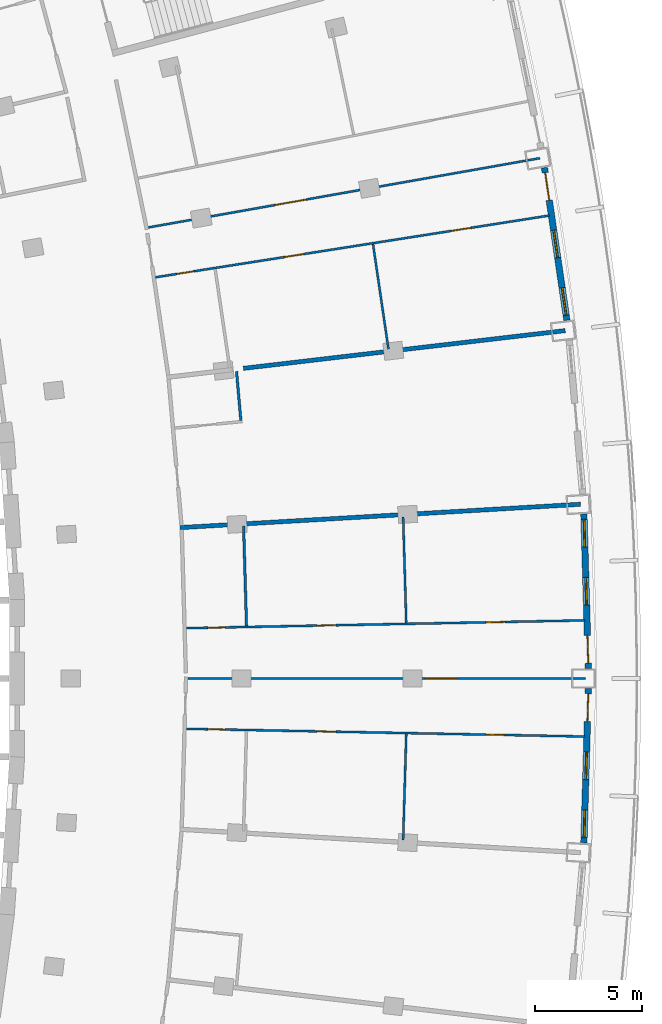
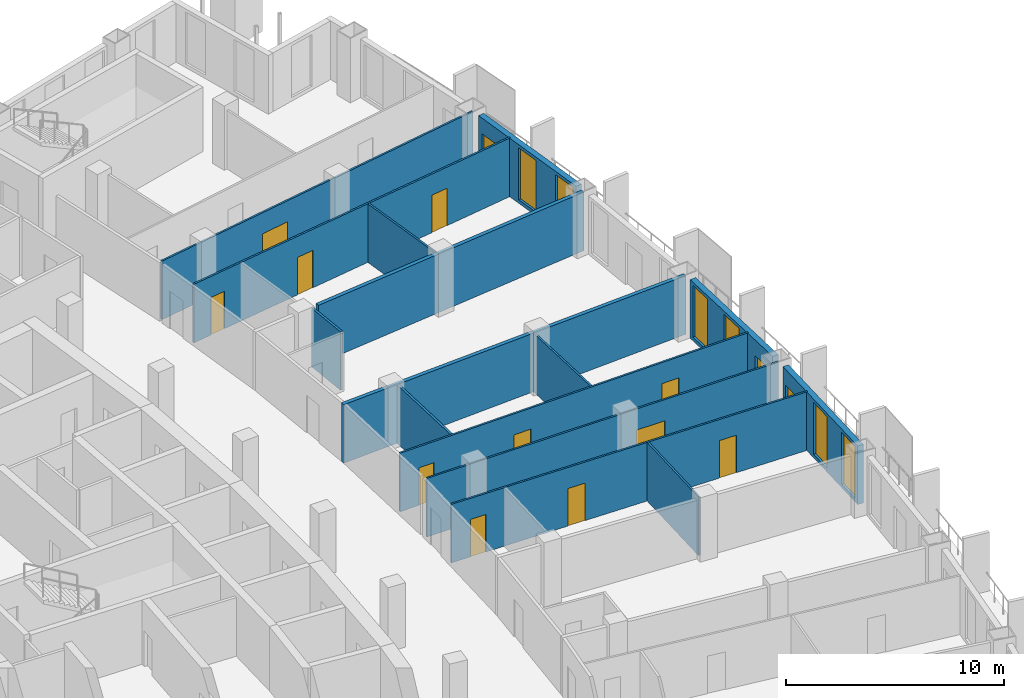
# One storey, part 14 of 20: 15 walls, 14 doors, 6 windows, 20 openings.
"""IFC4 building model written with IfcOpenShell, lengths in metres."""

from ifc_helpers import new_model, si_unit, direction, frame, frame_2d, origin, place, context, subcontext, project, spatial, rectangle, extrude, material, layer, layer_set, type_object, element, fill, save


model = new_model("IFC4")

# Units and contexts
model_context = context("Model", 3, precision=1e-05, world=origin(), true_north=direction((0.0, 1.0)))
body_context = subcontext(model_context, "Body", "Model", "MODEL_VIEW")
ifc_project = project(units=[si_unit("LENGTHUNIT", "METRE"), si_unit("AREAUNIT", "SQUARE_METRE"), si_unit("VOLUMEUNIT", "CUBIC_METRE"), si_unit("PLANEANGLEUNIT", "RADIAN"), si_unit("MASSUNIT", "GRAM", prefix="KILO")], contexts=[model_context])

# Site, building, storey
site_placement = place(None, origin())
site = spatial("IfcSite", under=ifc_project, at=site_placement, CompositionType="ELEMENT")
building_placement = place(site_placement, origin())
building = spatial("IfcBuilding", under=site, at=building_placement, Name="Alderwake Tower", CompositionType="ELEMENT")
storey_placement = place(building_placement, frame((0.0, 0.0, 153.199951171875)))
storey = spatial("IfcBuildingStorey", under=building, at=storey_placement, Name="L37", CompositionType="ELEMENT", Elevation=153.199951171875)

# Wall, openings, door, windows
ifc_material_1 = material(Name="Precast concrete C50/60 spandrel panel", Category="concrete")
ifc_layer_1 = layer(ifc_material_1, 0.300048828125)
ifc_layer_set_1 = layer_set([ifc_layer_1], Name="External wall EW1 Precast concrete C50/60 spandrel")
wall_type_1 = type_object("IfcWallType", Name="External wall EW1 Precast concrete C50/60 spandrel", PredefinedType="SOLIDWALL", material=ifc_layer_set_1)
wall_1_placement = place(storey_placement, frame((59.82568359375, 53.30810546875, 0.0), z_axis=(0.0, 0.0, 1.0), x_axis=(0.029139773033, 0.999575346649, 0.0)))
wall_1 = element("IfcWall", 1, at=wall_1_placement, inside=storey, type_object=wall_type_1, Name="External wall 15", PredefinedType="SOLIDWALL", context=body_context, shape_type="SweptSolid", body=[
    extrude(rectangle(XDim=7.22216796875, YDim=0.300048828125, at=frame_2d((3.611083984375, 0.0))), origin(), (0.0, 0.0, 1.0), 3.280029296875),
])
opening_1_placement = place(wall_1_placement, frame((0.2431640625, 0.0, 0.199951171875)))
opening_1 = element("IfcOpeningElement", 2, at=opening_1_placement, cuts=wall_1, Name="Opening W1", PredefinedType="OPENING", context=body_context, shape_type="SweptSolid", body=[
    extrude(rectangle(XDim=1.300048828125, YDim=2.89990234375, at=frame_2d((0.64990234375, 1.449951171875))), frame((0.0, 0.159912109375, 0.0), z_axis=(0.0, -1.0, 0.0), x_axis=(1.0, 0.0, 0.0)), (0.0, 0.0, 1.0), 0.320068359375),
])
opening_2_placement = place(wall_1_placement, frame((2.961181640625, 0.0, 0.199951171875)))
opening_2 = element("IfcOpeningElement", 3, at=opening_2_placement, cuts=wall_1, Name="Opening W1", PredefinedType="OPENING", context=body_context, shape_type="SweptSolid", body=[
    extrude(rectangle(XDim=1.300048828125, YDim=2.89990234375, at=frame_2d((0.64990234375, 1.449951171875))), frame((0.0, 0.159912109375, 0.0), z_axis=(0.0, -1.0, 0.0), x_axis=(1.0, 0.0, 0.0)), (0.0, 0.0, 1.0), 0.320068359375),
])
opening_3_placement = place(wall_1_placement, frame((5.678955078125, 0.0, 0.0)))
opening_3 = element("IfcOpeningElement", 4, at=opening_3_placement, cuts=wall_1, Name="Opening D04", PredefinedType="OPENING", context=body_context, shape_type="SweptSolid", body=[
    extrude(rectangle(XDim=1.300048828125, YDim=2.39990234375, at=frame_2d((0.64990234375, 1.199951171875))), frame((0.0, 0.159912109375, 0.0), z_axis=(0.0, -1.0, 0.0), x_axis=(1.0, 0.0, 0.0)), (0.0, 0.0, 1.0), 0.320068359375),
])
ifc_material_2 = material(Name="Bronze tinted glass in aluminium frame", Category="aluminium")
door_type_1 = type_object("IfcDoorType", Name="Balcony door BD sliding", OperationType="SLIDING_TO_LEFT", PredefinedType="DOOR", material=ifc_material_2)
door_1_placement = place(opening_3_placement, origin())
door_1 = element("IfcDoor", 5, at=door_1_placement, inside=storey, type_object=door_type_1, Name="Door D04", OperationType="SLIDING_TO_LEFT", OverallHeight=2.39990234375, OverallWidth=1.300048828125, PredefinedType="DOOR", context=body_context, shape_type="SweptSolid", body=[
    extrude(rectangle(XDim=1.300048828125, YDim=2.39990234375, at=frame_2d((0.64990234375, 1.199951171875))), frame((0.0, 0.02490234375, 0.0), z_axis=(0.0, -1.0, 0.0), x_axis=(1.0, 0.0, 0.0)), (0.0, 0.0, 1.0), 0.050048828125),
])
fill(opening_3, door_1)
ifc_material_3 = material(Name="Bronze tinted glass in aluminium frame", Category="aluminium")
window_type = type_object("IfcWindowType", Name="Window W1 tall fixed and vent", PartitioningType="DOUBLE_PANEL_VERTICAL", PredefinedType="WINDOW", material=ifc_material_3)
window_1_placement = place(opening_1_placement, origin())
window_1 = element("IfcWindow", 6, at=window_1_placement, inside=storey, type_object=window_type, Name="Window W1 tall fixed and vent", OverallHeight=2.89990234375, OverallWidth=1.300048828125, PartitioningType="DOUBLE_PANEL_VERTICAL", PredefinedType="WINDOW", context=body_context, shape_type="SweptSolid", body=[
    extrude(rectangle(XDim=1.300048828125, YDim=2.89990234375, at=frame_2d((0.64990234375, 1.449951171875))), frame((0.0, 0.030029296875, 0.0), z_axis=(0.0, -1.0, 0.0), x_axis=(1.0, 0.0, 0.0)), (0.0, 0.0, 1.0), 0.06005859375),
])
fill(opening_1, window_1)
window_2_placement = place(opening_2_placement, origin())
window_2 = element("IfcWindow", 7, at=window_2_placement, inside=storey, type_object=window_type, Name="Window W1 tall fixed and vent", OverallHeight=2.89990234375, OverallWidth=1.300048828125, PartitioningType="DOUBLE_PANEL_VERTICAL", PredefinedType="WINDOW", context=body_context, shape_type="SweptSolid", body=[
    extrude(rectangle(XDim=1.300048828125, YDim=2.89990234375, at=frame_2d((0.64990234375, 1.449951171875))), frame((0.0, 0.030029296875, 0.0), z_axis=(0.0, -1.0, 0.0), x_axis=(1.0, 0.0, 0.0)), (0.0, 0.0, 1.0), 0.06005859375),
])
fill(opening_2, window_2)

wall_2_placement = place(storey_placement, frame((60.0361328125, 61.472900390625, 0.0), z_axis=(0.0, 0.0, 1.0), x_axis=(-0.029139773033, 0.999575346649, 0.0)))
wall_2 = element("IfcWall", 8, at=wall_2_placement, inside=storey, type_object=wall_type_1, Name="External wall 16", PredefinedType="SOLIDWALL", context=body_context, shape_type="SweptSolid", body=[
    extrude(rectangle(XDim=7.22216796875, YDim=0.300048828125, at=frame_2d((3.611083984375, 0.0))), origin(), (0.0, 0.0, 1.0), 3.280029296875),
])
opening_4_placement = place(wall_2_placement, frame((0.2431640625, 0.0, 0.0)))
opening_4 = element("IfcOpeningElement", 9, at=opening_4_placement, cuts=wall_2, Name="Opening D05", PredefinedType="OPENING", context=body_context, shape_type="SweptSolid", body=[
    extrude(rectangle(XDim=1.300048828125, YDim=2.39990234375, at=frame_2d((0.64990234375, 1.199951171875))), frame((0.0, 0.159912109375, 0.0), z_axis=(0.0, -1.0, 0.0), x_axis=(1.0, 0.0, 0.0)), (0.0, 0.0, 1.0), 0.320068359375),
])
opening_5_placement = place(wall_2_placement, frame((2.961181640625, 0.0, 0.199951171875)))
opening_5 = element("IfcOpeningElement", 10, at=opening_5_placement, cuts=wall_2, Name="Opening W1", PredefinedType="OPENING", context=body_context, shape_type="SweptSolid", body=[
    extrude(rectangle(XDim=1.300048828125, YDim=2.89990234375, at=frame_2d((0.64990234375, 1.449951171875))), frame((0.0, 0.159912109375, 0.0), z_axis=(0.0, -1.0, 0.0), x_axis=(1.0, 0.0, 0.0)), (0.0, 0.0, 1.0), 0.320068359375),
])
opening_6_placement = place(wall_2_placement, frame((5.678955078125, 0.0, 0.199951171875)))
opening_6 = element("IfcOpeningElement", 11, at=opening_6_placement, cuts=wall_2, Name="Opening W1", PredefinedType="OPENING", context=body_context, shape_type="SweptSolid", body=[
    extrude(rectangle(XDim=1.300048828125, YDim=2.89990234375, at=frame_2d((0.64990234375, 1.449951171875))), frame((0.0, 0.159912109375, 0.0), z_axis=(0.0, -1.0, 0.0), x_axis=(1.0, 0.0, 0.0)), (0.0, 0.0, 1.0), 0.320068359375),
])
door_2_placement = place(opening_4_placement, origin())
door_2 = element("IfcDoor", 12, at=door_2_placement, inside=storey, type_object=door_type_1, Name="Door D05", OperationType="SLIDING_TO_LEFT", OverallHeight=2.39990234375, OverallWidth=1.300048828125, PredefinedType="DOOR", context=body_context, shape_type="SweptSolid", body=[
    extrude(rectangle(XDim=1.300048828125, YDim=2.39990234375, at=frame_2d((0.64990234375, 1.199951171875))), frame((0.0, 0.02490234375, 0.0), z_axis=(0.0, -1.0, 0.0), x_axis=(1.0, 0.0, 0.0)), (0.0, 0.0, 1.0), 0.050048828125),
])
fill(opening_4, door_2)
window_3_placement = place(opening_5_placement, origin())
window_3 = element("IfcWindow", 13, at=window_3_placement, inside=storey, type_object=window_type, Name="Window W1 tall fixed and vent", OverallHeight=2.89990234375, OverallWidth=1.300048828125, PartitioningType="DOUBLE_PANEL_VERTICAL", PredefinedType="WINDOW", context=body_context, shape_type="SweptSolid", body=[
    extrude(rectangle(XDim=1.300048828125, YDim=2.89990234375, at=frame_2d((0.64990234375, 1.449951171875))), frame((0.0, 0.030029296875, 0.0), z_axis=(0.0, -1.0, 0.0), x_axis=(1.0, 0.0, 0.0)), (0.0, 0.0, 1.0), 0.06005859375),
])
fill(opening_5, window_3)
window_4_placement = place(opening_6_placement, origin())
window_4 = element("IfcWindow", 14, at=window_4_placement, inside=storey, type_object=window_type, Name="Window W1 tall fixed and vent", OverallHeight=2.89990234375, OverallWidth=1.300048828125, PartitioningType="DOUBLE_PANEL_VERTICAL", PredefinedType="WINDOW", context=body_context, shape_type="SweptSolid", body=[
    extrude(rectangle(XDim=1.300048828125, YDim=2.89990234375, at=frame_2d((0.64990234375, 1.449951171875))), frame((0.0, 0.030029296875, 0.0), z_axis=(0.0, -1.0, 0.0), x_axis=(1.0, 0.0, 0.0)), (0.0, 0.0, 1.0), 0.06005859375),
])
fill(opening_6, window_4)

wall_3_placement = place(storey_placement, frame((59.029296875, 77.770263671875, 0.0), z_axis=(0.0, 0.0, 1.0), x_axis=(-0.145324652045, 0.989384023273, 0.0)))
wall_3 = element("IfcWall", 15, at=wall_3_placement, inside=storey, type_object=wall_type_1, Name="External wall 18", PredefinedType="SOLIDWALL", context=body_context, shape_type="SweptSolid", body=[
    extrude(rectangle(XDim=7.22216796875, YDim=0.300048828125, at=frame_2d((3.611083984375, 0.0))), origin(), (0.0, 0.0, 1.0), 3.280029296875),
])
opening_7_placement = place(wall_3_placement, frame((0.2431640625, 0.0, 0.199951171875)))
opening_7 = element("IfcOpeningElement", 16, at=opening_7_placement, cuts=wall_3, Name="Opening W1", PredefinedType="OPENING", context=body_context, shape_type="SweptSolid", body=[
    extrude(rectangle(XDim=1.300048828125, YDim=2.89990234375, at=frame_2d((0.64990234375, 1.449951171875))), frame((0.0, 0.159912109375, 0.0), z_axis=(0.0, -1.0, 0.0), x_axis=(1.0, 0.0, 0.0)), (0.0, 0.0, 1.0), 0.320068359375),
])
opening_8_placement = place(wall_3_placement, frame((2.961181640625, 0.0, 0.199951171875)))
opening_8 = element("IfcOpeningElement", 17, at=opening_8_placement, cuts=wall_3, Name="Opening W1", PredefinedType="OPENING", context=body_context, shape_type="SweptSolid", body=[
    extrude(rectangle(XDim=1.300048828125, YDim=2.89990234375, at=frame_2d((0.64990234375, 1.449951171875))), frame((0.0, 0.159912109375, 0.0), z_axis=(0.0, -1.0, 0.0), x_axis=(1.0, 0.0, 0.0)), (0.0, 0.0, 1.0), 0.320068359375),
])
opening_9_placement = place(wall_3_placement, frame((5.678955078125, 0.0, 0.0)))
opening_9 = element("IfcOpeningElement", 18, at=opening_9_placement, cuts=wall_3, Name="Opening D07", PredefinedType="OPENING", context=body_context, shape_type="SweptSolid", body=[
    extrude(rectangle(XDim=1.300048828125, YDim=2.39990234375, at=frame_2d((0.64990234375, 1.199951171875))), frame((0.0, 0.159912109375, 0.0), z_axis=(0.0, -1.0, 0.0), x_axis=(1.0, 0.0, 0.0)), (0.0, 0.0, 1.0), 0.320068359375),
])
door_3_placement = place(opening_9_placement, origin())
door_3 = element("IfcDoor", 19, at=door_3_placement, inside=storey, type_object=door_type_1, Name="Door D07", OperationType="SLIDING_TO_LEFT", OverallHeight=2.39990234375, OverallWidth=1.300048828125, PredefinedType="DOOR", context=body_context, shape_type="SweptSolid", body=[
    extrude(rectangle(XDim=1.300048828125, YDim=2.39990234375, at=frame_2d((0.64990234375, 1.199951171875))), frame((0.0, 0.02490234375, 0.0), z_axis=(0.0, -1.0, 0.0), x_axis=(1.0, 0.0, 0.0)), (0.0, 0.0, 1.0), 0.050048828125),
])
fill(opening_9, door_3)
window_5_placement = place(opening_7_placement, origin())
window_5 = element("IfcWindow", 20, at=window_5_placement, inside=storey, type_object=window_type, Name="Window W1 tall fixed and vent", OverallHeight=2.89990234375, OverallWidth=1.300048828125, PartitioningType="DOUBLE_PANEL_VERTICAL", PredefinedType="WINDOW", context=body_context, shape_type="SweptSolid", body=[
    extrude(rectangle(XDim=1.300048828125, YDim=2.89990234375, at=frame_2d((0.64990234375, 1.449951171875))), frame((0.0, 0.030029296875, 0.0), z_axis=(0.0, -1.0, 0.0), x_axis=(1.0, 0.0, 0.0)), (0.0, 0.0, 1.0), 0.06005859375),
])
fill(opening_7, window_5)
window_6_placement = place(opening_8_placement, origin())
window_6 = element("IfcWindow", 21, at=window_6_placement, inside=storey, type_object=window_type, Name="Window W1 tall fixed and vent", OverallHeight=2.89990234375, OverallWidth=1.300048828125, PartitioningType="DOUBLE_PANEL_VERTICAL", PredefinedType="WINDOW", context=body_context, shape_type="SweptSolid", body=[
    extrude(rectangle(XDim=1.300048828125, YDim=2.89990234375, at=frame_2d((0.64990234375, 1.449951171875))), frame((0.0, 0.030029296875, 0.0), z_axis=(0.0, -1.0, 0.0), x_axis=(1.0, 0.0, 0.0)), (0.0, 0.0, 1.0), 0.06005859375),
])
fill(opening_8, window_6)

# Walls
ifc_material_4 = material(Name="Dense block masonry wall", Category="masonry")
ifc_layer_2 = layer(ifc_material_4, 0.199951171875)
ifc_layer_set_2 = layer_set([ifc_layer_2], Name="Party wall 200")
wall_type_2 = type_object("IfcWallType", Name="Party wall 200", PredefinedType="SOLIDWALL", material=ifc_layer_set_2)
wall_4_placement = place(storey_placement, frame((58.949951171875, 77.285888671875, 0.0), z_axis=(0.0, 0.0, 1.0), x_axis=(-0.993190756865, -0.116499444109, 0.0)))
element("IfcWall", 22, at=wall_4_placement, inside=storey, type_object=wall_type_2, Name="WL/L37/W04", PredefinedType="SOLIDWALL", context=body_context, shape_type="SweptSolid", body=[
    extrude(rectangle(XDim=15.168212890625, YDim=0.199951171875, at=frame_2d((7.583984375, 0.0))), origin(), (0.0, 0.0, 1.0), 3.280029296875),
])
wall_5_placement = place(storey_placement, frame((59.660888671875, 69.156005859375, 0.0), z_axis=(0.0, 0.0, 1.0), x_axis=(-0.998302191282, -0.058247187749, 0.0)))
element("IfcWall", 23, at=wall_5_placement, inside=storey, type_object=wall_type_2, Name="WL/L37/W06", PredefinedType="SOLIDWALL", context=body_context, shape_type="SweptSolid", body=[
    extrude(rectangle(XDim=18.77783203125, YDim=0.199951171875, at=frame_2d((9.388916015625, 0.0))), origin(), (0.0, 0.0, 1.0), 3.280029296875),
])

# Wall, openings, doors
ifc_material_5 = material(Name="Gypsum board on metal studs")
ifc_layer_3 = layer(ifc_material_5, 0.10009765625)
ifc_layer_set_3 = layer_set([ifc_layer_3], Name="Unit partition 100")
wall_type_3 = type_object("IfcWallType", Name="Unit partition 100", PredefinedType="PARTITIONING", material=ifc_layer_set_3)
wall_6_placement = place(storey_placement, frame((58.2060546875, 82.674072265625, 0.0), z_axis=(0.0, 0.0, 1.0), x_axis=(-0.987923453113, -0.1549427339, 0.0)))
wall_6 = element("IfcWall", 24, at=wall_6_placement, inside=storey, type_object=wall_type_3, Name="WL/L37/W44", PredefinedType="PARTITIONING", context=body_context, shape_type="SweptSolid", body=[
    extrude(rectangle(XDim=18.662353515625, YDim=0.10009765625, at=frame_2d((9.3310546875, 0.0))), origin(), (0.0, 0.0, 1.0), 3.280029296875),
])
opening_10_placement = place(wall_6_placement, frame((11.651123046875, 0.0, 0.0)))
opening_10 = element("IfcOpeningElement", 25, at=opening_10_placement, cuts=wall_6, Name="Opening R10-U07.1", PredefinedType="OPENING", context=body_context, shape_type="SweptSolid", body=[
    extrude(rectangle(XDim=0.89990234375, YDim=2.10009765625, at=frame_2d((0.449951171875, 1.050048828125))), frame((0.0, 0.06005859375, 0.0), z_axis=(0.0, -1.0, 0.0), x_axis=(1.0, 0.0, 0.0)), (0.0, 0.0, 1.0), 0.1201171875),
])
opening_11_placement = place(wall_6_placement, frame((16.852294921875, 0.0, 0.0)))
opening_11 = element("IfcOpeningElement", 26, at=opening_11_placement, cuts=wall_6, Name="Opening R10-U07.3", PredefinedType="OPENING", context=body_context, shape_type="SweptSolid", body=[
    extrude(rectangle(XDim=0.800048828125, YDim=2.10009765625, at=frame_2d((0.39990234375, 1.050048828125))), frame((0.0, 0.06005859375, 0.0), z_axis=(0.0, -1.0, 0.0), x_axis=(1.0, 0.0, 0.0)), (0.0, 0.0, 1.0), 0.1201171875),
])
opening_12_placement = place(wall_6_placement, frame((3.72998046875, 0.0, 0.0)))
opening_12 = element("IfcOpeningElement", 27, at=opening_12_placement, cuts=wall_6, Name="Opening R10-U07.4", PredefinedType="OPENING", context=body_context, shape_type="SweptSolid", body=[
    extrude(rectangle(XDim=0.89990234375, YDim=2.10009765625, at=frame_2d((0.449951171875, 1.050048828125))), frame((0.0, 0.06005859375, 0.0), z_axis=(0.0, -1.0, 0.0), x_axis=(1.0, 0.0, 0.0)), (0.0, 0.0, 1.0), 0.1201171875),
])
ifc_material_6 = material(Name="Painted timber leaf", Category="wood")
door_type_2 = type_object("IfcDoorType", Name="Bathroom door 800", OperationType="SINGLE_SWING_LEFT", PredefinedType="DOOR", material=ifc_material_6)
door_4_placement = place(opening_11_placement, origin())
door_4 = element("IfcDoor", 28, at=door_4_placement, inside=storey, type_object=door_type_2, Name="DR/L37/U07.3", OperationType="SINGLE_SWING_LEFT", OverallHeight=2.10009765625, OverallWidth=0.800048828125, PredefinedType="DOOR", context=body_context, shape_type="SweptSolid", body=[
    extrude(rectangle(XDim=0.800048828125, YDim=2.10009765625, at=frame_2d((0.39990234375, 1.050048828125))), frame((0.0, 0.02490234375, 0.0), z_axis=(0.0, -1.0, 0.0), x_axis=(1.0, 0.0, 0.0)), (0.0, 0.0, 1.0), 0.050048828125),
])
fill(opening_11, door_4)
ifc_material_7 = material(Name="Painted timber leaf", Category="wood")
door_type_3 = type_object("IfcDoorType", Name="Room door 900", OperationType="SINGLE_SWING_LEFT", PredefinedType="DOOR", material=ifc_material_7)
door_5_placement = place(opening_10_placement, origin())
door_5 = element("IfcDoor", 29, at=door_5_placement, inside=storey, type_object=door_type_3, Name="DR/L37/U07.1", OperationType="SINGLE_SWING_LEFT", OverallHeight=2.10009765625, OverallWidth=0.89990234375, PredefinedType="DOOR", context=body_context, shape_type="SweptSolid", body=[
    extrude(rectangle(XDim=0.89990234375, YDim=2.10009765625, at=frame_2d((0.449951171875, 1.050048828125))), frame((0.0, 0.02490234375, 0.0), z_axis=(0.0, -1.0, 0.0), x_axis=(1.0, 0.0, 0.0)), (0.0, 0.0, 1.0), 0.050048828125),
])
fill(opening_10, door_5)
door_6_placement = place(opening_12_placement, origin())
door_6 = element("IfcDoor", 30, at=door_6_placement, inside=storey, type_object=door_type_3, Name="DR/L37/U07.4", OperationType="SINGLE_SWING_LEFT", OverallHeight=2.10009765625, OverallWidth=0.89990234375, PredefinedType="DOOR", context=body_context, shape_type="SweptSolid", body=[
    extrude(rectangle(XDim=0.89990234375, YDim=2.10009765625, at=frame_2d((0.449951171875, 1.050048828125))), frame((0.0, 0.02490234375, 0.0), z_axis=(0.0, -1.0, 0.0), x_axis=(1.0, 0.0, 0.0)), (0.0, 0.0, 1.0), 0.050048828125),
])
fill(opening_12, door_6)

wall_7_placement = place(storey_placement, frame((59.87109375, 58.281005859375, 0.0), z_axis=(0.0, 0.0, 1.0), x_axis=(-0.999812344215, 0.019372050889, 0.0)))
wall_7 = element("IfcWall", 31, at=wall_7_placement, inside=storey, type_object=wall_type_3, Name="WL/L37/W46", PredefinedType="PARTITIONING", context=body_context, shape_type="SweptSolid", body=[
    extrude(rectangle(XDim=18.66455078125, YDim=0.10009765625, at=frame_2d((9.332275390625, 0.0))), origin(), (0.0, 0.0, 1.0), 3.280029296875),
])
opening_13_placement = place(wall_7_placement, frame((11.6533203125, 0.0, 0.0)))
opening_13 = element("IfcOpeningElement", 32, at=opening_13_placement, cuts=wall_7, Name="Opening R10-U05.1", PredefinedType="OPENING", context=body_context, shape_type="SweptSolid", body=[
    extrude(rectangle(XDim=0.89990234375, YDim=2.10009765625, at=frame_2d((0.449951171875, 1.050048828125))), frame((0.0, 0.06005859375, 0.0), z_axis=(0.0, -1.0, 0.0), x_axis=(1.0, 0.0, 0.0)), (0.0, 0.0, 1.0), 0.1201171875),
])
opening_14_placement = place(wall_7_placement, frame((16.8544921875, 0.0, 0.0)))
opening_14 = element("IfcOpeningElement", 33, at=opening_14_placement, cuts=wall_7, Name="Opening R10-U05.3", PredefinedType="OPENING", context=body_context, shape_type="SweptSolid", body=[
    extrude(rectangle(XDim=0.800048828125, YDim=2.10009765625, at=frame_2d((0.39990234375, 1.050048828125))), frame((0.0, 0.06005859375, 0.0), z_axis=(0.0, -1.0, 0.0), x_axis=(1.0, 0.0, 0.0)), (0.0, 0.0, 1.0), 0.1201171875),
])
opening_15_placement = place(wall_7_placement, frame((3.7314453125, 0.0, 0.0)))
opening_15 = element("IfcOpeningElement", 34, at=opening_15_placement, cuts=wall_7, Name="Opening R10-U05.4", PredefinedType="OPENING", context=body_context, shape_type="SweptSolid", body=[
    extrude(rectangle(XDim=0.89990234375, YDim=2.10009765625, at=frame_2d((0.449951171875, 1.050048828125))), frame((0.0, 0.06005859375, 0.0), z_axis=(0.0, -1.0, 0.0), x_axis=(1.0, 0.0, 0.0)), (0.0, 0.0, 1.0), 0.1201171875),
])
door_7_placement = place(opening_14_placement, origin())
door_7 = element("IfcDoor", 35, at=door_7_placement, inside=storey, type_object=door_type_2, Name="DR/L37/U05.3", OperationType="SINGLE_SWING_LEFT", OverallHeight=2.10009765625, OverallWidth=0.800048828125, PredefinedType="DOOR", context=body_context, shape_type="SweptSolid", body=[
    extrude(rectangle(XDim=0.800048828125, YDim=2.10009765625, at=frame_2d((0.39990234375, 1.050048828125))), frame((0.0, 0.02490234375, 0.0), z_axis=(0.0, -1.0, 0.0), x_axis=(1.0, 0.0, 0.0)), (0.0, 0.0, 1.0), 0.050048828125),
])
fill(opening_14, door_7)
door_8_placement = place(opening_13_placement, origin())
door_8 = element("IfcDoor", 36, at=door_8_placement, inside=storey, type_object=door_type_3, Name="DR/L37/U05.1", OperationType="SINGLE_SWING_LEFT", OverallHeight=2.10009765625, OverallWidth=0.89990234375, PredefinedType="DOOR", context=body_context, shape_type="SweptSolid", body=[
    extrude(rectangle(XDim=0.89990234375, YDim=2.10009765625, at=frame_2d((0.449951171875, 1.050048828125))), frame((0.0, 0.02490234375, 0.0), z_axis=(0.0, -1.0, 0.0), x_axis=(1.0, 0.0, 0.0)), (0.0, 0.0, 1.0), 0.050048828125),
])
fill(opening_13, door_8)
door_9_placement = place(opening_15_placement, origin())
door_9 = element("IfcDoor", 37, at=door_9_placement, inside=storey, type_object=door_type_3, Name="DR/L37/U05.4", OperationType="SINGLE_SWING_LEFT", OverallHeight=2.10009765625, OverallWidth=0.89990234375, PredefinedType="DOOR", context=body_context, shape_type="SweptSolid", body=[
    extrude(rectangle(XDim=0.89990234375, YDim=2.10009765625, at=frame_2d((0.449951171875, 1.050048828125))), frame((0.0, 0.02490234375, 0.0), z_axis=(0.0, -1.0, 0.0), x_axis=(1.0, 0.0, 0.0)), (0.0, 0.0, 1.0), 0.050048828125),
])
fill(opening_15, door_9)

wall_8_placement = place(storey_placement, frame((41.2099609375, 63.355712890625, 0.0), z_axis=(0.0, 0.0, 1.0), x_axis=(0.999809547067, 0.01951588053, 0.0)))
wall_8 = element("IfcWall", 38, at=wall_8_placement, inside=storey, type_object=wall_type_3, Name="WL/L37/W47", PredefinedType="PARTITIONING", context=body_context, shape_type="SweptSolid", body=[
    extrude(rectangle(XDim=18.664794921875, YDim=0.10009765625, at=frame_2d((9.33251953125, 0.0))), origin(), (0.0, 0.0, 1.0), 3.280029296875),
])
opening_16_placement = place(wall_8_placement, frame((6.111083984375, 0.0, 0.0)))
opening_16 = element("IfcOpeningElement", 39, at=opening_16_placement, cuts=wall_8, Name="Opening R10-U05.5", PredefinedType="OPENING", context=body_context, shape_type="SweptSolid", body=[
    extrude(rectangle(XDim=0.89990234375, YDim=2.10009765625, at=frame_2d((0.449951171875, 1.050048828125))), frame((0.0, 0.06005859375, 0.0), z_axis=(0.0, -1.0, 0.0), x_axis=(1.0, 0.0, 0.0)), (0.0, 0.0, 1.0), 0.1201171875),
])
opening_17_placement = place(wall_8_placement, frame((1.010009765625, 0.0, 0.0)))
opening_17 = element("IfcOpeningElement", 40, at=opening_17_placement, cuts=wall_8, Name="Opening R10-U05.6", PredefinedType="OPENING", context=body_context, shape_type="SweptSolid", body=[
    extrude(rectangle(XDim=0.800048828125, YDim=2.10009765625, at=frame_2d((0.39990234375, 1.050048828125))), frame((0.0, 0.06005859375, 0.0), z_axis=(0.0, -1.0, 0.0), x_axis=(1.0, 0.0, 0.0)), (0.0, 0.0, 1.0), 0.1201171875),
])
opening_18_placement = place(wall_8_placement, frame((14.032958984375, 0.0, 0.0)))
opening_18 = element("IfcOpeningElement", 41, at=opening_18_placement, cuts=wall_8, Name="Opening R10-U05.7", PredefinedType="OPENING", context=body_context, shape_type="SweptSolid", body=[
    extrude(rectangle(XDim=0.89990234375, YDim=2.10009765625, at=frame_2d((0.449951171875, 1.050048828125))), frame((0.0, 0.06005859375, 0.0), z_axis=(0.0, -1.0, 0.0), x_axis=(1.0, 0.0, 0.0)), (0.0, 0.0, 1.0), 0.1201171875),
])
door_10_placement = place(opening_17_placement, origin())
door_10 = element("IfcDoor", 42, at=door_10_placement, inside=storey, type_object=door_type_2, Name="DR/L37/U05.6", OperationType="SINGLE_SWING_LEFT", OverallHeight=2.10009765625, OverallWidth=0.800048828125, PredefinedType="DOOR", context=body_context, shape_type="SweptSolid", body=[
    extrude(rectangle(XDim=0.800048828125, YDim=2.10009765625, at=frame_2d((0.39990234375, 1.050048828125))), frame((0.0, 0.02490234375, 0.0), z_axis=(0.0, -1.0, 0.0), x_axis=(1.0, 0.0, 0.0)), (0.0, 0.0, 1.0), 0.050048828125),
])
fill(opening_17, door_10)
door_11_placement = place(opening_16_placement, origin())
door_11 = element("IfcDoor", 43, at=door_11_placement, inside=storey, type_object=door_type_3, Name="DR/L37/U05.5", OperationType="SINGLE_SWING_LEFT", OverallHeight=2.10009765625, OverallWidth=0.89990234375, PredefinedType="DOOR", context=body_context, shape_type="SweptSolid", body=[
    extrude(rectangle(XDim=0.89990234375, YDim=2.10009765625, at=frame_2d((0.449951171875, 1.050048828125))), frame((0.0, 0.02490234375, 0.0), z_axis=(0.0, -1.0, 0.0), x_axis=(1.0, 0.0, 0.0)), (0.0, 0.0, 1.0), 0.050048828125),
])
fill(opening_16, door_11)
door_12_placement = place(opening_18_placement, origin())
door_12 = element("IfcDoor", 44, at=door_12_placement, inside=storey, type_object=door_type_3, Name="DR/L37/U05.7", OperationType="SINGLE_SWING_LEFT", OverallHeight=2.10009765625, OverallWidth=0.89990234375, PredefinedType="DOOR", context=body_context, shape_type="SweptSolid", body=[
    extrude(rectangle(XDim=0.89990234375, YDim=2.10009765625, at=frame_2d((0.449951171875, 1.050048828125))), frame((0.0, 0.02490234375, 0.0), z_axis=(0.0, -1.0, 0.0), x_axis=(1.0, 0.0, 0.0)), (0.0, 0.0, 1.0), 0.050048828125),
])
fill(opening_18, door_12)

# Walls
wall_9_placement = place(storey_placement, frame((50.676513671875, 76.416015625, 0.0), z_axis=(0.0, 0.0, 1.0), x_axis=(-0.145440200606, 0.989367044149, 0.0)))
element("IfcWall", 45, at=wall_9_placement, inside=storey, type_object=wall_type_3, Name="WL/L37/W50", PredefinedType="PARTITIONING", context=body_context, shape_type="SweptSolid", body=[
    extrude(rectangle(XDim=4.96533203125, YDim=0.10009765625, at=frame_2d((2.482666015625, 0.0))), origin(), (0.0, 0.0, 1.0), 3.280029296875),
])
wall_10_placement = place(storey_placement, frame((51.36279296875, 53.427978515625, 0.0), z_axis=(0.0, 0.0, 1.0), x_axis=(0.029342722012, 0.999569409628, 0.0)))
element("IfcWall", 46, at=wall_10_placement, inside=storey, type_object=wall_type_3, Name="WL/L37/W51", PredefinedType="PARTITIONING", context=body_context, shape_type="SweptSolid", body=[
    extrude(rectangle(XDim=4.96728515625, YDim=0.10009765625, at=frame_2d((2.483642578125, 0.0))), origin(), (0.0, 0.0, 1.0), 3.280029296875),
])
wall_11_placement = place(storey_placement, frame((51.508544921875, 63.60791015625, 0.0), z_axis=(0.0, 0.0, 1.0), x_axis=(-0.029360031199, 0.999568901361, 0.0)))
element("IfcWall", 47, at=wall_11_placement, inside=storey, type_object=wall_type_3, Name="WL/L37/W52", PredefinedType="PARTITIONING", context=body_context, shape_type="SweptSolid", body=[
    extrude(rectangle(XDim=4.96435546875, YDim=0.10009765625, at=frame_2d((2.482177734375, 0.0))), origin(), (0.0, 0.0, 1.0), 3.280029296875),
])

# Wall, opening, door
wall_12_placement = place(storey_placement, frame((39.4267578125, 82.114990234375, 0.0), z_axis=(0.0, 0.0, 1.0), x_axis=(0.984707433875, 0.174216157893, 0.0)))
wall_12 = element("IfcWall", 48, at=wall_12_placement, inside=storey, type_object=wall_type_3, Name="WL/L37/W53", PredefinedType="PARTITIONING", context=body_context, shape_type="SweptSolid", body=[
    extrude(rectangle(XDim=18.619873046875, YDim=0.10009765625, at=frame_2d((9.31005859375, 0.0))), origin(), (0.0, 0.0, 1.0), 3.280029296875),
])
opening_19_placement = place(wall_12_placement, frame((6.028076171875, 0.0, 0.0)))
opening_19 = element("IfcOpeningElement", 49, at=opening_19_placement, cuts=wall_12, Name="Opening R10-U07.8", PredefinedType="OPENING", context=body_context, shape_type="SweptSolid", body=[
    extrude(rectangle(XDim=1.5, YDim=2.10009765625, at=frame_2d((0.75, 1.050048828125))), frame((0.0, 0.06005859375, 0.0), z_axis=(0.0, -1.0, 0.0), x_axis=(1.0, 0.0, 0.0)), (0.0, 0.0, 1.0), 0.1201171875),
])
ifc_material_8 = material(Name="Painted timber leaves", Category="wood")
door_type_4 = type_object("IfcDoorType", Name="Double leaf door 1500", OperationType="DOUBLE_DOOR_SINGLE_SWING", PredefinedType="DOOR", material=ifc_material_8)
door_13_placement = place(opening_19_placement, origin())
door_13 = element("IfcDoor", 50, at=door_13_placement, inside=storey, type_object=door_type_4, Name="DR/L37/U07.8", OperationType="DOUBLE_DOOR_SINGLE_SWING", OverallHeight=2.10009765625, OverallWidth=1.5, PredefinedType="DOOR", context=body_context, shape_type="SweptSolid", body=[
    extrude(rectangle(XDim=1.5, YDim=2.10009765625, at=frame_2d((0.75, 1.050048828125))), frame((0.0, 0.02490234375, 0.0), z_axis=(0.0, -1.0, 0.0), x_axis=(1.0, 0.0, 0.0)), (0.0, 0.0, 1.0), 0.050048828125),
])
fill(opening_19, door_13)

wall_13_placement = place(storey_placement, frame((41.279052734375, 60.9990234375, 0.0), z_axis=(0.0, 0.0, 1.0), x_axis=(1.0, 0.0, 0.0)))
wall_13 = element("IfcWall", 51, at=wall_13_placement, inside=storey, type_object=wall_type_3, Name="WL/L37/W54", PredefinedType="PARTITIONING", context=body_context, shape_type="SweptSolid", body=[
    extrude(rectangle(XDim=18.621826171875, YDim=0.10009765625, at=frame_2d((9.31103515625, 0.0))), origin(), (0.0, 0.0, 1.0), 3.280029296875),
])
opening_20_placement = place(wall_13_placement, frame((11.092529296875, 0.0, 0.0)))
opening_20 = element("IfcOpeningElement", 52, at=opening_20_placement, cuts=wall_13, Name="Opening R10-U05.8", PredefinedType="OPENING", context=body_context, shape_type="SweptSolid", body=[
    extrude(rectangle(XDim=1.5, YDim=2.10009765625, at=frame_2d((0.75, 1.050048828125))), frame((0.0, 0.06005859375, 0.0), z_axis=(0.0, -1.0, 0.0), x_axis=(1.0, 0.0, 0.0)), (0.0, 0.0, 1.0), 0.1201171875),
])
door_14_placement = place(opening_20_placement, origin())
door_14 = element("IfcDoor", 53, at=door_14_placement, inside=storey, type_object=door_type_4, Name="DR/L37/U05.8", OperationType="DOUBLE_DOOR_SINGLE_SWING", OverallHeight=2.10009765625, OverallWidth=1.5, PredefinedType="DOOR", context=body_context, shape_type="SweptSolid", body=[
    extrude(rectangle(XDim=1.5, YDim=2.10009765625, at=frame_2d((0.75, 1.050048828125))), frame((0.0, 0.02490234375, 0.0), z_axis=(0.0, -1.0, 0.0), x_axis=(1.0, 0.0, 0.0)), (0.0, 0.0, 1.0), 0.050048828125),
])
fill(opening_20, door_14)

# Walls
ifc_material_9 = material(Name="Moisture resistant gypsum board on metal studs")
ifc_layer_4 = layer(ifc_material_9, 0.1201171875)
ifc_layer_set_4 = layer_set([ifc_layer_4], Name="Wet room partition 120")
wall_type_4 = type_object("IfcWallType", Name="Wet room partition 120", PredefinedType="PARTITIONING", material=ifc_layer_set_4)
wall_14_placement = place(storey_placement, frame((43.7646484375, 73.082763671875, 0.0), z_axis=(0.0, 0.0, 1.0), x_axis=(-0.087538546065, 0.996161133027, 0.0)))
element("IfcWall", 54, at=wall_14_placement, inside=storey, type_object=wall_type_4, Name="WL/L37/W40", PredefinedType="PARTITIONING", context=body_context, shape_type="SweptSolid", body=[
    extrude(rectangle(XDim=2.306396484375, YDim=0.1201171875, at=frame_2d((1.1533203125, 0.0))), origin(), (0.0, 0.0, 1.0), 3.280029296875),
])
wall_15_placement = place(storey_placement, frame((44.029541015625, 63.4609375, 0.0), z_axis=(0.0, 0.0, 1.0), x_axis=(-0.029237951874, 0.999572479698, 0.0)))
element("IfcWall", 55, at=wall_15_placement, inside=storey, type_object=wall_type_4, Name="WL/L37/W42", PredefinedType="PARTITIONING", context=body_context, shape_type="SweptSolid", body=[
    extrude(rectangle(XDim=4.676025390625, YDim=0.1201171875, at=frame_2d((2.337890625, 0.0))), origin(), (0.0, 0.0, 1.0), 3.280029296875),
])

save(model, "model.ifc")
